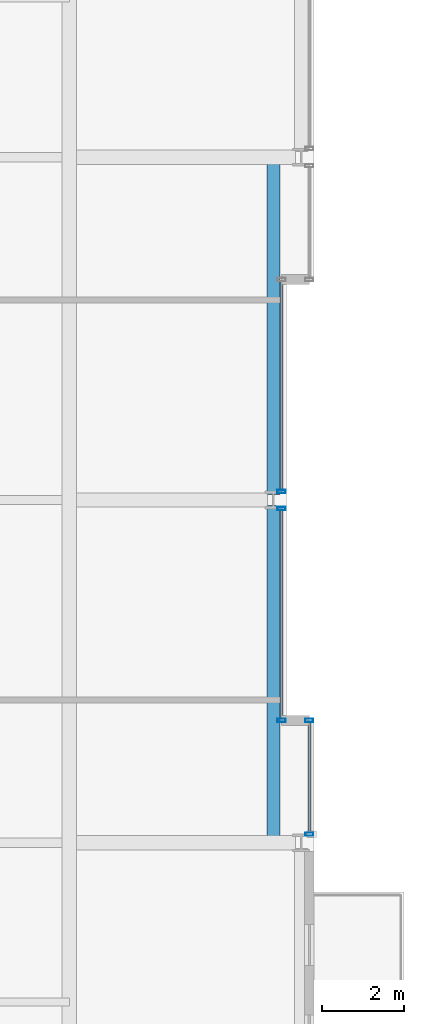
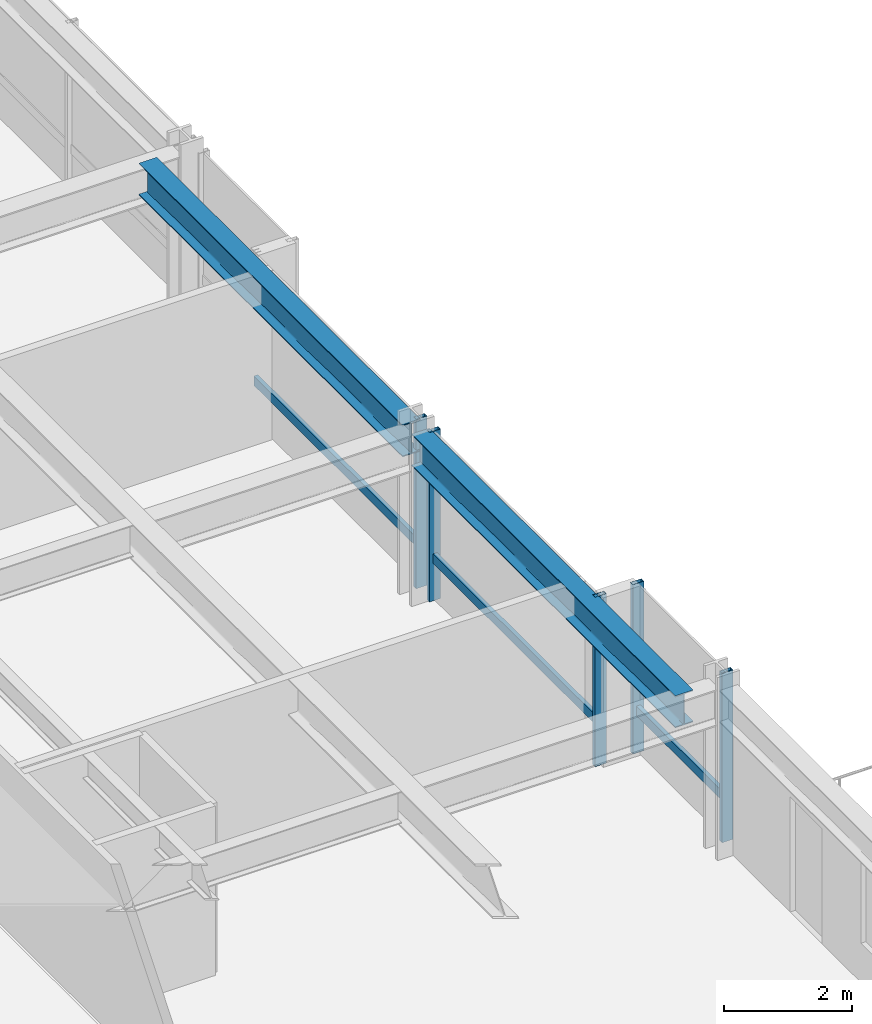
# One storey, part 15 of 34: 8 members, 2 beams, 3 elements without a shape of their own.
"""IFC4 building model written with IfcOpenShell, lengths in metres."""

from ifc_helpers import new_model, si_unit, direction, frame, origin, origin_2d, place, context, subcontext, project, spatial, hollow_rectangle, i_section, extrude, material, layer, layer_set, material_profile, profile_set, type_object, element, aggregate, save


model = new_model("IFC4")

# Units and contexts
model_context = context("Model", 3, precision=1e-05, world=origin(), true_north=direction((0.0, 1.0)))
body_context = subcontext(model_context, "Body", "Model", "MODEL_VIEW")
ifc_project = project(units=[si_unit("LENGTHUNIT", "METRE"), si_unit("AREAUNIT", "SQUARE_METRE"), si_unit("VOLUMEUNIT", "CUBIC_METRE"), si_unit("PLANEANGLEUNIT", "RADIAN"), si_unit("MASSUNIT", "GRAM", prefix="KILO")], contexts=[model_context])

# Site, building, storey
site_placement = place(None, origin())
site = spatial("IfcSite", under=ifc_project, at=site_placement, CompositionType="ELEMENT")
building_placement = place(site_placement, origin())
building = spatial("IfcBuilding", under=site, at=building_placement, Name="Drelvath Grand Hotel", CompositionType="ELEMENT")
storey_placement = place(building_placement, frame((0.0, 0.0, 133.800048828125)))
storey = spatial("IfcBuildingStorey", under=building, at=storey_placement, Name="L34", CompositionType="ELEMENT", Elevation=133.800048828125)

# Curtain wall, member
ifc_material_1 = material(Name="Champagne Bronze Anodised Aluminium Frame", Category="aluminium")
ifc_layer = layer(ifc_material_1, 0.199951171875)
ifc_layer_set = layer_set([ifc_layer], Name="Champagne Bronze Anodised Aluminium Frame")
curtain_wall_type = type_object("IfcCurtainWallType", Name="Stick Curtain Wall CW-03 Champagne Bronze Mid-Rise", PredefinedType="NOTDEFINED", material=ifc_layer_set)
curtain_wall_1_placement = place(storey_placement, origin())
curtain_wall_1 = element("IfcCurtainWall", 1, at=curtain_wall_1_placement, inside=storey, type_object=curtain_wall_type, Name="L34 CW-03 Curtain Wall CW03-L34-EM1", PredefinedType="NOTDEFINED")
ifc_material_profile_1 = material_profile(ifc_material_1, hollow_rectangle(XDim=0.074951171875, YDim=0.179931640625, WallThickness=0.0048828125, at=origin_2d()), Name="HSS180X75X5")
ifc_profile_set_1 = profile_set([ifc_material_profile_1], Name="Champagne Bronze Anodised Aluminium Frame")
member_type_1 = type_object("IfcMemberType", Name="Curtain Wall Horizontal Transom CW-03 HSS180X75X5", PredefinedType="USERDEFINED", material=ifc_profile_set_1)
member_1_placement = place(storey_placement, frame((21.39990234375, 26.75048828125, 0.81005859375), z_axis=(0.0, -1.0, 0.0), x_axis=(1.0, 0.0, 0.0)))
member_1 = element("IfcMember", 2, at=member_1_placement, type_object=member_type_1, Name="CW03-L34-EM1 Sill Transom", ObjectType="TRANSOM", PredefinedType="USERDEFINED", context=body_context, shape_type="SweptSolid", body=[
    extrude(hollow_rectangle(XDim=0.074951171875, YDim=0.179931640625, WallThickness=0.0048828125, at=origin_2d()), origin(), (0.0, 0.0, 1.0), 5.110595703125),
])

curtain_wall_2_placement = place(storey_placement, origin())
curtain_wall_2 = element("IfcCurtainWall", 3, at=curtain_wall_2_placement, inside=storey, type_object=curtain_wall_type, Name="L34 CW-03 Curtain Wall CW03-L34-EM2", PredefinedType="NOTDEFINED")
member_2_placement = place(storey_placement, frame((21.39990234375, 32.360107421875, 0.81005859375), z_axis=(0.0, -1.0, 0.0), x_axis=(1.0, 0.0, 0.0)))
member_2 = element("IfcMember", 4, at=member_2_placement, type_object=member_type_1, Name="CW03-L34-EM2 Sill Transom", ObjectType="TRANSOM", PredefinedType="USERDEFINED", context=body_context, shape_type="SweptSolid", body=[
    extrude(hollow_rectangle(XDim=0.074951171875, YDim=0.179931640625, WallThickness=0.0048828125, at=origin_2d()), origin(), (0.0, 0.0, 1.0), 5.110595703125),
])

curtain_wall_3_placement = place(storey_placement, origin())
curtain_wall_3 = element("IfcCurtainWall", 5, at=curtain_wall_3_placement, inside=storey, type_object=curtain_wall_type, Name="L34 CW-03 Curtain Wall CW03-L34-ES3", PredefinedType="NOTDEFINED")
member_3_placement = place(storey_placement, frame((22.080078125, 21.56005859375, 0.81005859375), z_axis=(0.0, -1.0, 0.0), x_axis=(1.0, 0.0, 0.0)))
member_3 = element("IfcMember", 6, at=member_3_placement, type_object=member_type_1, Name="CW03-L34-ES3 Sill Transom", ObjectType="TRANSOM", PredefinedType="USERDEFINED", context=body_context, shape_type="SweptSolid", body=[
    extrude(hollow_rectangle(XDim=0.074951171875, YDim=0.179931640625, WallThickness=0.0048828125, at=origin_2d()), origin(), (0.0, 0.0, 1.0), 2.710693359375),
])

# Member
ifc_material_profile_2 = material_profile(ifc_material_1, hollow_rectangle(XDim=0.080078125, YDim=0.199951171875, WallThickness=0.0048828125, at=origin_2d()), Name="HSS200X80X5")
ifc_profile_set_2 = profile_set([ifc_material_profile_2], Name="Champagne Bronze Anodised Aluminium Frame")
member_type_2 = type_object("IfcMemberType", Name="Curtain Wall Vertical Mullion CW-03 HSS200X80X5", PredefinedType="MULLION", material=ifc_profile_set_2)
member_4_placement = place(storey_placement, frame((21.39990234375, 26.79052734375, 0.0), z_axis=(0.0, 0.0, 1.0), x_axis=(0.0, 1.0, 0.0)))
member_4 = element("IfcMember", 7, at=member_4_placement, type_object=member_type_2, Name="CW03-L34-EM1 Mullion 1", PredefinedType="MULLION", context=body_context, shape_type="SweptSolid", body=[
    extrude(hollow_rectangle(XDim=0.080078125, YDim=0.199951171875, WallThickness=0.0048828125, at=origin_2d()), origin(), (0.0, 0.0, 1.0), 3.239990234375),
])

member_5_placement = place(storey_placement, frame((21.39990234375, 21.60009765625, 0.0), z_axis=(0.0, 0.0, 1.0), x_axis=(0.0, 1.0, 0.0)))
member_5 = element("IfcMember", 8, at=member_5_placement, type_object=member_type_2, Name="CW03-L34-EM1 Mullion 2", PredefinedType="MULLION", context=body_context, shape_type="SweptSolid", body=[
    extrude(hollow_rectangle(XDim=0.080078125, YDim=0.199951171875, WallThickness=0.0048828125, at=origin_2d()), origin(), (0.0, 0.0, 1.0), 3.239990234375),
])

aggregate(curtain_wall_1, [member_4, member_5, member_1])

member_6_placement = place(storey_placement, frame((21.39990234375, 27.20947265625, 0.0), z_axis=(0.0, 0.0, 1.0), x_axis=(0.0, 1.0, 0.0)))
member_6 = element("IfcMember", 9, at=member_6_placement, type_object=member_type_2, Name="CW03-L34-EM2 Mullion 2", PredefinedType="MULLION", context=body_context, shape_type="SweptSolid", body=[
    extrude(hollow_rectangle(XDim=0.080078125, YDim=0.199951171875, WallThickness=0.0048828125, at=origin_2d()), origin(), (0.0, 0.0, 1.0), 3.239990234375),
])

aggregate(curtain_wall_2, [member_6, member_2])

member_7_placement = place(storey_placement, frame((22.080078125, 21.60009765625, 0.0), z_axis=(0.0, 0.0, 1.0), x_axis=(0.0, 1.0, 0.0)))
member_7 = element("IfcMember", 10, at=member_7_placement, type_object=member_type_2, Name="CW03-L34-ES3 Mullion 1", PredefinedType="MULLION", context=body_context, shape_type="SweptSolid", body=[
    extrude(hollow_rectangle(XDim=0.080078125, YDim=0.199951171875, WallThickness=0.0048828125, at=origin_2d()), origin(), (0.0, 0.0, 1.0), 3.239990234375),
])

member_8_placement = place(storey_placement, frame((22.080078125, 18.809326171875, 0.0), z_axis=(0.0, 0.0, 1.0), x_axis=(0.0, 1.0, 0.0)))
member_8 = element("IfcMember", 11, at=member_8_placement, type_object=member_type_2, Name="CW03-L34-ES3 Mullion 2", PredefinedType="MULLION", context=body_context, shape_type="SweptSolid", body=[
    extrude(hollow_rectangle(XDim=0.080078125, YDim=0.199951171875, WallThickness=0.0048828125, at=origin_2d()), origin(), (0.0, 0.0, 1.0), 3.239990234375),
])

aggregate(curtain_wall_3, [member_7, member_8, member_3])

# Beams
ifc_material_2 = material(Name="Steel ASTM A992 Gr 50", Category="steel")
ifc_material_profile_3 = material_profile(ifc_material_2, i_section(OverallWidth=0.323974609375, OverallDepth=0.611083984375, WebThickness=0.0126953125, FlangeThickness=0.01904296875, FilletRadius=0.02197265625, at=origin_2d()), Name="W24X104")
ifc_profile_set_3 = profile_set([ifc_material_profile_3], Name="Steel ASTM A992 Gr 50")
beam_type = type_object("IfcBeamType", Name="Perimeter Spandrel Beam W24X104", PredefinedType="SPANDREL", material=ifc_profile_set_3)
for number, where, z_axis, x_axis, name in (
    (12, (21.199951171875, 18.60009765625, 2.934326171875), (0.0, 1.0, 0.0), (-1.0, 0.0, 0.0), "L34 Spandrel East Mid S"),
    (13, (21.199951171875, 27.139892578125, 2.934326171875), (0.0, 1.0, 0.0), (-1.0, 0.0, 0.0), "L34 Spandrel East Mid N"),
):
    element("IfcBeam", number, at=place(storey_placement, frame(where, z_axis=z_axis, x_axis=x_axis)), inside=storey, type_object=beam_type, Name=name, PredefinedType="SPANDREL", context=body_context, shape_type="SweptSolid", body=[
        extrude(i_section(OverallWidth=0.323974609375, OverallDepth=0.611083984375, WebThickness=0.0126953125, FlangeThickness=0.01904296875, FilletRadius=0.02197265625, at=origin_2d()), origin(), (0.0, 0.0, 1.0), 8.260009765625),
    ])

save(model, "model.ifc")
